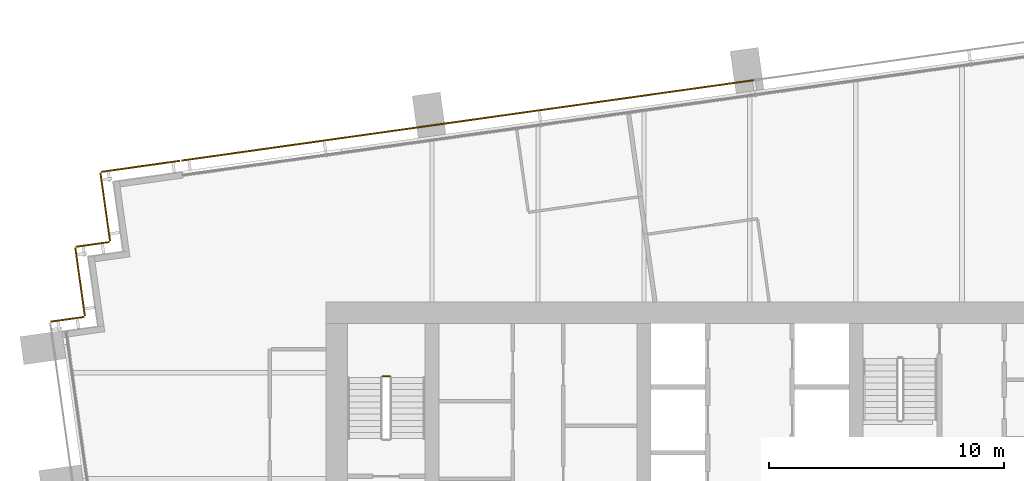
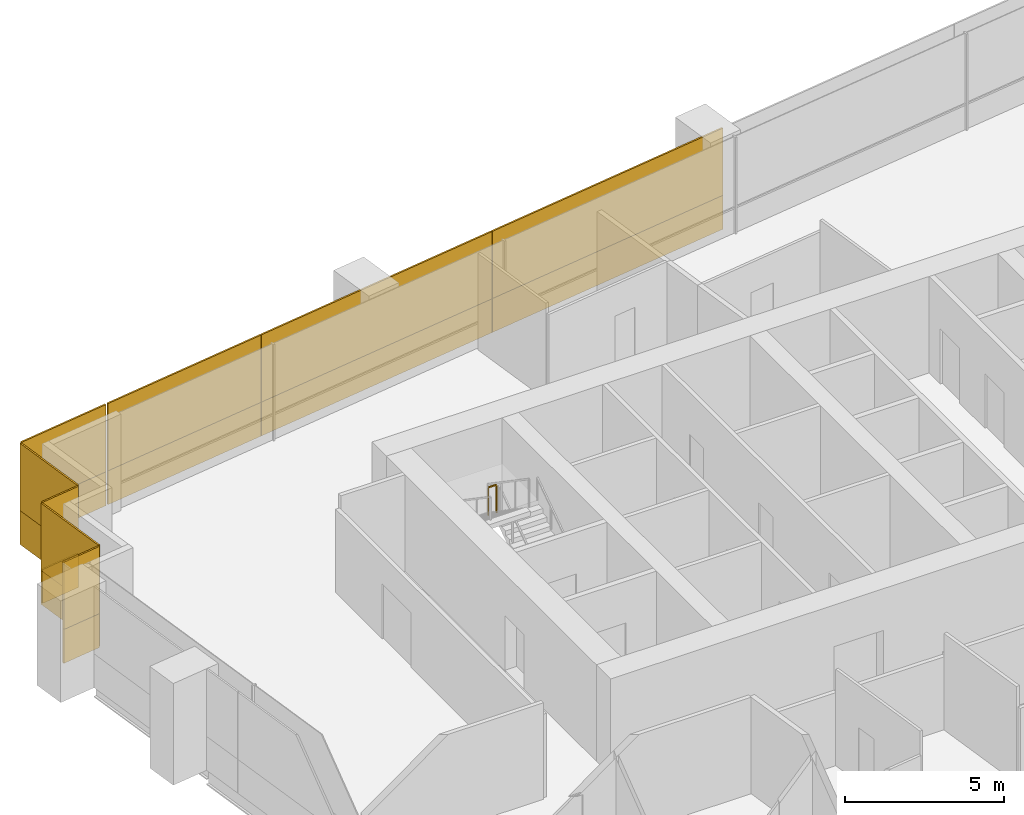
# One storey, part 17 of 18: 16 coverings, 1 railing.
"""IFC4 building model written with IfcOpenShell, lengths in metres."""

from ifc_helpers import new_model, si_unit, direction, frame, origin, origin_2d, place, context, subcontext, project, spatial, rectangle, extrude, material, layer, layer_set, type_object, element, save


model = new_model("IFC4")

# Units and contexts
model_context = context("Model", 3, precision=1e-05, world=origin(), true_north=direction((0.0, 1.0)))
body_context = subcontext(model_context, "Body", "Model", "MODEL_VIEW")
ifc_project = project(units=[si_unit("LENGTHUNIT", "METRE"), si_unit("AREAUNIT", "SQUARE_METRE"), si_unit("VOLUMEUNIT", "CUBIC_METRE"), si_unit("PLANEANGLEUNIT", "RADIAN"), si_unit("MASSUNIT", "GRAM", prefix="KILO")], contexts=[model_context])

# Site, building, storey
site_placement = place(None, origin())
site = spatial("IfcSite", under=ifc_project, at=site_placement, CompositionType="ELEMENT")
building_placement = place(site_placement, origin())
building = spatial("IfcBuilding", under=site, at=building_placement, Name="Rattan Terrace Tower", CompositionType="ELEMENT")
storey_placement = place(building_placement, frame((0.0, 0.0, 176.300048828125)))
storey = spatial("IfcBuildingStorey", under=building, at=storey_placement, Name="L40", CompositionType="ELEMENT", Elevation=176.300048828125)

# Railing
ifc_material_1 = material(Name="Powder-coated steel guard", Category="steel")
railing_type = type_object("IfcRailingType", Name="Core stair guard", PredefinedType="GUARDRAIL", material=ifc_material_1)
railing_placement = place(storey_placement, frame((-15.300048828125, 4.35009765625, 1.949951171875)))
element("IfcRailing", 1, at=railing_placement, inside=storey, type_object=railing_type, Name="L40 S1 stair guard 2", PredefinedType="GUARDRAIL", context=body_context, shape_type="SweptSolid", body=[
    extrude(rectangle(XDim=0.048095703125, YDim=0.048095703125, at=origin_2d()), frame((0.0, 0.0, 1.076171875), z_axis=(-1.0, 0.0, 0.0), x_axis=(0.0, -1.0, 0.0)), (0.0, 0.0, 1.0), 0.300048828125),
    extrude(rectangle(XDim=0.0419921875, YDim=0.0419921875, at=origin_2d()), origin(), (0.0, 0.0, 1.0), 1.052001953125),
    extrude(rectangle(XDim=0.0419921875, YDim=0.0419921875, at=origin_2d()), frame((-0.300048828125, 0.0, 0.0)), (0.0, 0.0, 1.0), 1.052001953125),
])

# Coverings
ifc_material_2 = material(Name="Solid terracotta", Category="masonry")
ifc_layer_1 = layer(ifc_material_2, 0.06005859375)
ifc_layer_set_1 = layer_set([ifc_layer_1], Name="Facade Terracotta Band Panel")
covering_type_1 = type_object("IfcCoveringType", Name="Facade Terracotta Band Panel", PredefinedType="CLADDING", material=ifc_layer_set_1)
for number, where, z_axis, x_axis, name in (
    (2, (-4.39794921875, 16.285400390625, -0.18994140625), (0.0, 0.0, 1.0), (-0.990269702686, -0.139161474347, 0.0), "OUTER SKIN panel L40-17A"),
    (3, (-13.521484375, 15.003173828125, -0.18994140625), (0.0, 0.0, 1.0), (-0.990269702686, -0.139161474347, 0.0), "OUTER SKIN panel L40-18A"),
):
    element("IfcCovering", number, at=place(storey_placement, frame(where, z_axis=z_axis, x_axis=x_axis)), inside=storey, type_object=covering_type_1, Name=name, PredefinedType="CLADDING", context=body_context, shape_type="SweptSolid", body=[
        extrude(rectangle(XDim=9.193115234375, YDim=0.06005859375, at=origin_2d()), origin(), (0.0, 0.0, 1.0), 1.300048828125),
    ])
covering_1_placement = place(storey_placement, frame((-21.112548828125, 13.9365234375, -0.18994140625), z_axis=(0.0, 0.0, 1.0), x_axis=(-0.990269702686, -0.139161474347, 0.0)))
element("IfcCovering", 4, at=covering_1_placement, inside=storey, type_object=covering_type_1, Name="OUTER SKIN panel L40-19A", PredefinedType="CLADDING", context=body_context, shape_type="SweptSolid", body=[
    extrude(rectangle(XDim=6.098388671875, YDim=0.06005859375, at=origin_2d()), origin(), (0.0, 0.0, 1.0), 1.300048828125),
])
covering_2_placement = place(storey_placement, frame((-25.8798828125, 13.266357421875, -0.18994140625), z_axis=(0.0, 0.0, 1.0), x_axis=(-0.990247240581, -0.139321220646, 0.0)))
element("IfcCovering", 5, at=covering_2_placement, inside=storey, type_object=covering_type_1, Name="OUTER SKIN panel L40-20A", PredefinedType="CLADDING", context=body_context, shape_type="SweptSolid", body=[
    extrude(rectangle(XDim=3.370361328125, YDim=0.06005859375, at=origin_2d()), origin(), (0.0, 0.0, 1.0), 1.300048828125),
])
covering_3_placement = place(storey_placement, frame((-27.37939453125, 11.54052734375, -0.18994140625), z_axis=(0.0, 0.0, 1.0), x_axis=(0.139321220646, -0.990247240581, 0.0)))
element("IfcCovering", 6, at=covering_3_placement, inside=storey, type_object=covering_type_1, Name="OUTER SKIN panel L40-21A", PredefinedType="CLADDING", context=body_context, shape_type="SweptSolid", body=[
    extrude(rectangle(XDim=2.919921875, YDim=0.06005859375, at=origin_2d()), origin(), (0.0, 0.0, 1.0), 1.300048828125),
])
covering_4_placement = place(storey_placement, frame((-27.913330078125, 9.951171875, -0.18994140625), z_axis=(0.0, 0.0, 1.0), x_axis=(-0.990345406709, -0.138621698915, 0.0)))
element("IfcCovering", 7, at=covering_4_placement, inside=storey, type_object=covering_type_1, Name="OUTER SKIN panel L40-22A", PredefinedType="CLADDING", context=body_context, shape_type="SweptSolid", body=[
    extrude(rectangle(XDim=1.42041015625, YDim=0.06005859375, at=origin_2d()), origin(), (0.0, 0.0, 1.0), 1.300048828125),
])
covering_5_placement = place(storey_placement, frame((-28.447265625, 8.361572265625, -0.18994140625), z_axis=(0.0, 0.0, 1.0), x_axis=(0.139321220646, -0.990247240581, 0.0)))
element("IfcCovering", 8, at=covering_5_placement, inside=storey, type_object=covering_type_1, Name="OUTER SKIN panel L40-23A", PredefinedType="CLADDING", context=body_context, shape_type="SweptSolid", body=[
    extrude(rectangle(XDim=2.920654296875, YDim=0.06005859375, at=origin_2d()), origin(), (0.0, 0.0, 1.0), 1.300048828125),
])
covering_6_placement = place(storey_placement, frame((-28.981201171875, 6.771484375, -0.18994140625), z_axis=(0.0, 0.0, 1.0), x_axis=(-0.99025370695, -0.139275252184, 0.0)))
element("IfcCovering", 9, at=covering_6_placement, inside=storey, type_object=covering_type_1, Name="OUTER SKIN panel L40-24A", PredefinedType="CLADDING", context=body_context, shape_type="SweptSolid", body=[
    extrude(rectangle(XDim=1.420654296875, YDim=0.06005859375, at=origin_2d()), origin(), (0.0, 0.0, 1.0), 1.300048828125),
])
ifc_material_3 = material(Name="Perforated terracotta", Category="masonry")
ifc_layer_2 = layer(ifc_material_3, 0.06005859375)
ifc_layer_set_2 = layer_set([ifc_layer_2], Name="Facade Terracotta Screen Panel")
covering_type_2 = type_object("IfcCoveringType", Name="Facade Terracotta Screen Panel", PredefinedType="CLADDING", material=ifc_layer_set_2)
for number, where, z_axis, x_axis, name in (
    (10, (-4.39794921875, 16.285400390625, 1.10986328125), (0.0, 0.0, 1.0), (-0.990269702686, -0.139161474347, 0.0), "OUTER SKIN panel L40-17B"),
    (11, (-13.521484375, 15.003173828125, 1.10986328125), (0.0, 0.0, 1.0), (-0.990269702686, -0.139161474347, 0.0), "OUTER SKIN panel L40-18B"),
):
    element("IfcCovering", number, at=place(storey_placement, frame(where, z_axis=z_axis, x_axis=x_axis)), inside=storey, type_object=covering_type_2, Name=name, PredefinedType="CLADDING", context=body_context, shape_type="SweptSolid", body=[
        extrude(rectangle(XDim=9.193115234375, YDim=0.06005859375, at=origin_2d()), origin(), (0.0, 0.0, 1.0), 2.580078125),
    ])
covering_7_placement = place(storey_placement, frame((-21.112548828125, 13.9365234375, 1.10986328125), z_axis=(0.0, 0.0, 1.0), x_axis=(-0.990269702686, -0.139161474347, 0.0)))
element("IfcCovering", 12, at=covering_7_placement, inside=storey, type_object=covering_type_2, Name="OUTER SKIN panel L40-19B", PredefinedType="CLADDING", context=body_context, shape_type="SweptSolid", body=[
    extrude(rectangle(XDim=6.098388671875, YDim=0.06005859375, at=origin_2d()), origin(), (0.0, 0.0, 1.0), 2.580078125),
])
covering_8_placement = place(storey_placement, frame((-25.8798828125, 13.266357421875, 1.10986328125), z_axis=(0.0, 0.0, 1.0), x_axis=(-0.990247240581, -0.139321220646, 0.0)))
element("IfcCovering", 13, at=covering_8_placement, inside=storey, type_object=covering_type_2, Name="OUTER SKIN panel L40-20B", PredefinedType="CLADDING", context=body_context, shape_type="SweptSolid", body=[
    extrude(rectangle(XDim=3.370361328125, YDim=0.06005859375, at=origin_2d()), origin(), (0.0, 0.0, 1.0), 2.580078125),
])
covering_9_placement = place(storey_placement, frame((-27.37939453125, 11.54052734375, 1.10986328125), z_axis=(0.0, 0.0, 1.0), x_axis=(0.139321220646, -0.990247240581, 0.0)))
element("IfcCovering", 14, at=covering_9_placement, inside=storey, type_object=covering_type_2, Name="OUTER SKIN panel L40-21B", PredefinedType="CLADDING", context=body_context, shape_type="SweptSolid", body=[
    extrude(rectangle(XDim=2.919921875, YDim=0.06005859375, at=origin_2d()), origin(), (0.0, 0.0, 1.0), 2.580078125),
])
covering_10_placement = place(storey_placement, frame((-27.913330078125, 9.951171875, 1.10986328125), z_axis=(0.0, 0.0, 1.0), x_axis=(-0.990345406709, -0.138621698915, 0.0)))
element("IfcCovering", 15, at=covering_10_placement, inside=storey, type_object=covering_type_2, Name="OUTER SKIN panel L40-22B", PredefinedType="CLADDING", context=body_context, shape_type="SweptSolid", body=[
    extrude(rectangle(XDim=1.42041015625, YDim=0.06005859375, at=origin_2d()), origin(), (0.0, 0.0, 1.0), 2.580078125),
])
covering_11_placement = place(storey_placement, frame((-28.447265625, 8.361572265625, 1.10986328125), z_axis=(0.0, 0.0, 1.0), x_axis=(0.139321220646, -0.990247240581, 0.0)))
element("IfcCovering", 16, at=covering_11_placement, inside=storey, type_object=covering_type_2, Name="OUTER SKIN panel L40-23B", PredefinedType="CLADDING", context=body_context, shape_type="SweptSolid", body=[
    extrude(rectangle(XDim=2.920654296875, YDim=0.06005859375, at=origin_2d()), origin(), (0.0, 0.0, 1.0), 2.580078125),
])
covering_12_placement = place(storey_placement, frame((-28.981201171875, 6.771484375, 1.10986328125), z_axis=(0.0, 0.0, 1.0), x_axis=(-0.99025370695, -0.139275252184, 0.0)))
element("IfcCovering", 17, at=covering_12_placement, inside=storey, type_object=covering_type_2, Name="OUTER SKIN panel L40-24B", PredefinedType="CLADDING", context=body_context, shape_type="SweptSolid", body=[
    extrude(rectangle(XDim=1.420654296875, YDim=0.06005859375, at=origin_2d()), origin(), (0.0, 0.0, 1.0), 2.580078125),
])

save(model, "model.ifc")
